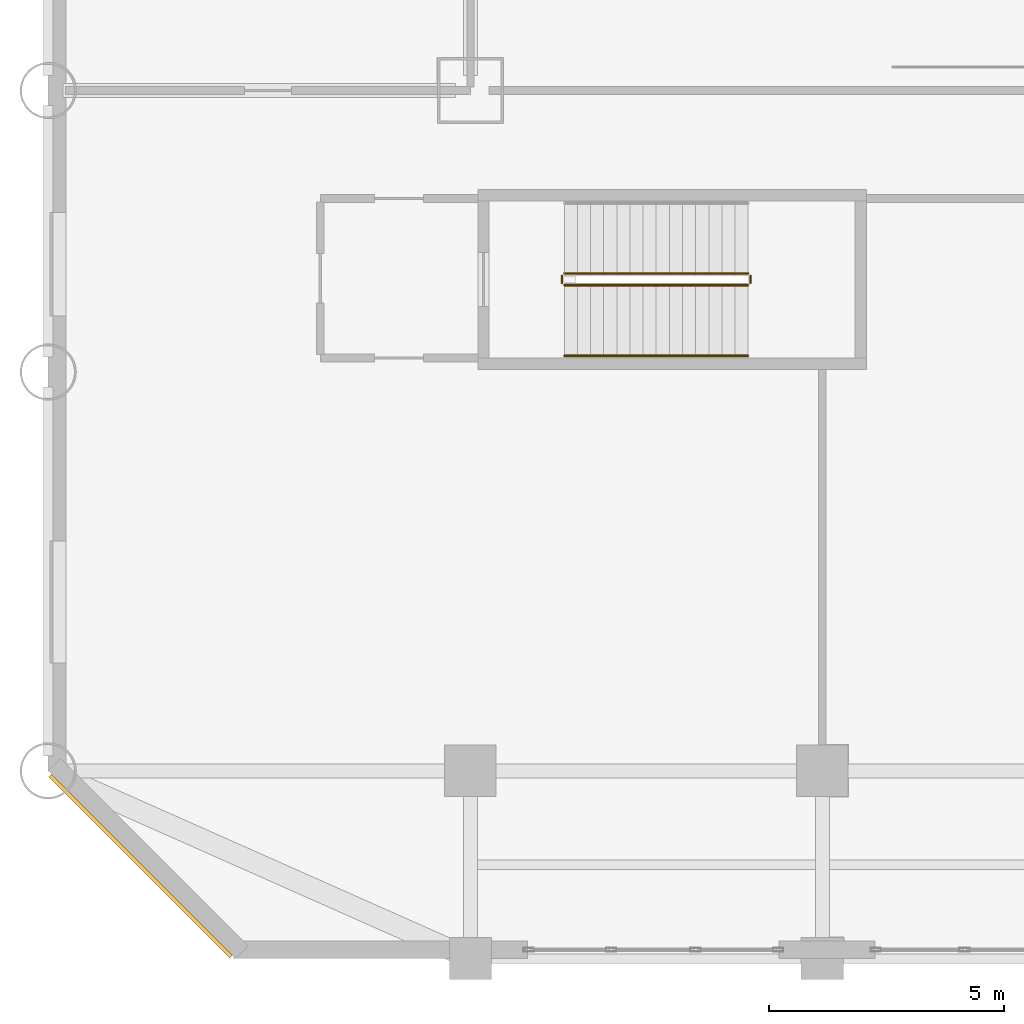
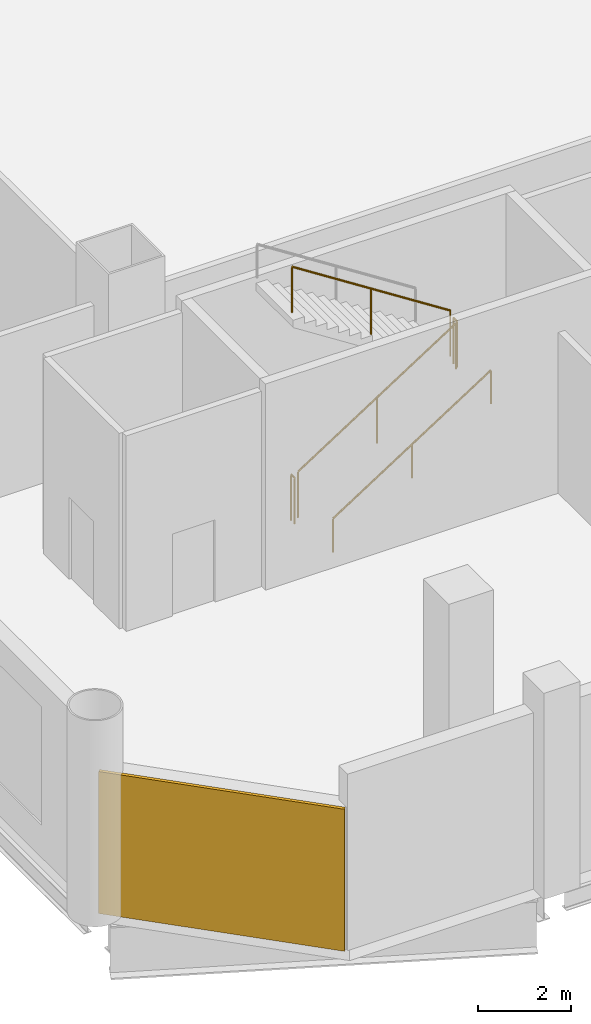
# One storey, part 15 of 18: 5 railings, 1 covering.
"""IFC4 building model written with IfcOpenShell, lengths in metres."""

from ifc_helpers import new_model, si_unit, direction, frame, origin, origin_2d, place, context, subcontext, project, spatial, rectangle, circle, extrude, material, layer, layer_set, type_object, element, save


model = new_model("IFC4")

# Units and contexts
model_context = context("Model", 3, precision=1e-05, world=origin(), true_north=direction((0.0, 1.0)))
body_context = subcontext(model_context, "Body", "Model", "MODEL_VIEW")
ifc_project = project(units=[si_unit("LENGTHUNIT", "METRE"), si_unit("AREAUNIT", "SQUARE_METRE"), si_unit("VOLUMEUNIT", "CUBIC_METRE"), si_unit("PLANEANGLEUNIT", "RADIAN"), si_unit("MASSUNIT", "GRAM", prefix="KILO")], contexts=[model_context])

# Site, building, storey
site_placement = place(None, origin())
site = spatial("IfcSite", under=ifc_project, at=site_placement, CompositionType="ELEMENT")
building_placement = place(site_placement, origin())
building = spatial("IfcBuilding", under=site, at=building_placement, Name="Qianrong Seaharbour Tower", CompositionType="ELEMENT")
storey_placement = place(building_placement, frame((0.0, 0.0, 6.0)))
storey = spatial("IfcBuildingStorey", under=building, at=storey_placement, Name="L02", CompositionType="ELEMENT", Elevation=6.0)

# Covering
ifc_material_1 = material(Name="Unitised red brick cladding on Precast concrete C45/55", Category="masonry")
ifc_layer = layer(ifc_material_1, 0.080078125)
ifc_layer_set = layer_set([ifc_layer], Name="Unitised red brick cladding on Precast concrete C45/55")
covering_type = type_object("IfcCoveringType", Name="COV-CLAD-RED-BRICK-80", PredefinedType="CLADDING", material=ifc_layer_set)
covering_placement = place(storey_placement, frame((1.9716796875, 1.9716796875, 0.0), z_axis=(0.0, 0.0, 1.0), x_axis=(-0.707106781187, 0.707106781187, 0.0)))
element("IfcCovering", 1, at=covering_placement, inside=storey, type_object=covering_type, Name="L02 Chamfer Corner Brick Cladding 07", PredefinedType="CLADDING", context=body_context, shape_type="SweptSolid", body=[
    extrude(rectangle(XDim=5.456787109375, YDim=0.080078125, at=origin_2d()), origin(), (0.0, 0.0, 1.0), 3.719970703125),
])

# Railings
ifc_material_2 = material(Name="Galvanized painted steel SN400B stair guard", Category="steel")
railing_type_1 = type_object("IfcRailingType", Name="RAIL-STAIR-GUARD-1220", PredefinedType="GUARDRAIL", material=ifc_material_2)
railing_1_placement = place(storey_placement, frame((11.0, 14.35009765625, 0.179931640625)))
element("IfcRailing", 2, at=railing_1_placement, inside=storey, type_object=railing_type_1, Name="L02 PST-3 stair guard 1", PredefinedType="GUARDRAIL", context=body_context, shape_type="SweptSolid", body=[
    extrude(circle(Radius=0.02392578125, at=origin_2d()), frame((0.0, 0.0, 1.19580078125), z_axis=(0.841171666519, 0.0, 0.540768182723), x_axis=(0.0, 1.0, 0.0)), (0.0, 0.0, 1.0), 4.66015625),
    extrude(circle(Radius=0.02099609375, at=origin_2d()), origin(), (0.0, 0.0, 1.0), 1.171875),
    extrude(circle(Radius=0.02099609375, at=origin_2d()), frame((1.9599609375, 0.0, 1.260009765625)), (0.0, 0.0, 1.0), 1.171875),
    extrude(circle(Radius=0.02099609375, at=origin_2d()), frame((3.919921875, 0.0, 2.52001953125)), (0.0, 0.0, 1.0), 1.171875),
])
railing_2_placement = place(storey_placement, frame((14.969970703125, 14.39990234375, 2.699951171875)))
element("IfcRailing", 3, at=railing_2_placement, inside=storey, type_object=railing_type_1, Name="L02 PST-3 stair guard 2", PredefinedType="GUARDRAIL", context=body_context, shape_type="SweptSolid", body=[
    extrude(circle(Radius=0.02392578125, at=origin_2d()), frame((0.0, 0.0, 1.19580078125), z_axis=(0.0, 1.0, 0.0), x_axis=(-1.0, 0.0, 0.0)), (0.0, 0.0, 1.0), 0.150146484375),
    extrude(circle(Radius=0.02099609375, at=origin_2d()), origin(), (0.0, 0.0, 1.0), 1.171875),
    extrude(circle(Radius=0.02099609375, at=origin_2d()), frame((0.0, 0.150146484375, 0.0)), (0.0, 0.0, 1.0), 1.171875),
])
railing_3_placement = place(storey_placement, frame((14.919921875, 14.60009765625, 2.8798828125)))
element("IfcRailing", 4, at=railing_3_placement, inside=storey, type_object=railing_type_1, Name="L02 PST-3 stair guard 3", PredefinedType="GUARDRAIL", context=body_context, shape_type="SweptSolid", body=[
    extrude(circle(Radius=0.02392578125, at=origin_2d()), frame((0.0, 0.0, 1.19580078125), z_axis=(-0.841171666519, 0.0, 0.540768182723), x_axis=(0.0, -1.0, 0.0)), (0.0, 0.0, 1.0), 4.66015625),
    extrude(circle(Radius=0.02099609375, at=origin_2d()), origin(), (0.0, 0.0, 1.0), 1.171875),
    extrude(circle(Radius=0.02099609375, at=origin_2d()), frame((-1.9599609375, 0.0, 1.260009765625)), (0.0, 0.0, 1.0), 1.171875),
    extrude(circle(Radius=0.02099609375, at=origin_2d()), frame((-3.919921875, 0.0, 2.52001953125)), (0.0, 0.0, 1.0), 1.171875),
])
railing_4_placement = place(storey_placement, frame((10.949951171875, 14.39990234375, 0.0)))
element("IfcRailing", 5, at=railing_4_placement, inside=storey, type_object=railing_type_1, Name="L02 PST-3 stair guard 4", PredefinedType="GUARDRAIL", context=body_context, shape_type="SweptSolid", body=[
    extrude(circle(Radius=0.02392578125, at=origin_2d()), frame((0.0, 0.0, 1.19580078125), z_axis=(0.0, 1.0, 0.0), x_axis=(-1.0, 0.0, 0.0)), (0.0, 0.0, 1.0), 0.150146484375),
    extrude(circle(Radius=0.02099609375, at=origin_2d()), origin(), (0.0, 0.0, 1.0), 1.171875),
    extrude(circle(Radius=0.02099609375, at=origin_2d()), frame((0.0, 0.150146484375, 0.0)), (0.0, 0.0, 1.0), 1.171875),
])
ifc_material_3 = material(Name="Stainless steel SUS316L continuous handrail", Category="steel")
railing_type_2 = type_object("IfcRailingType", Name="RAIL-STAIR-HANDRAIL-900", PredefinedType="HANDRAIL", material=ifc_material_3)
railing_5_placement = place(storey_placement, frame((11.0, 12.85009765625, 0.179931640625)))
element("IfcRailing", 6, at=railing_5_placement, inside=storey, type_object=railing_type_2, Name="L02 PST-3 stair handrail 1", PredefinedType="HANDRAIL", context=body_context, shape_type="SweptSolid", body=[
    extrude(circle(Radius=0.02392578125, at=origin_2d()), frame((0.0, 0.0, 0.8759765625), z_axis=(0.841171666519, 0.0, 0.540768182723), x_axis=(0.0, 1.0, 0.0)), (0.0, 0.0, 1.0), 4.66015625),
    extrude(circle(Radius=0.02099609375, at=origin_2d()), origin(), (0.0, 0.0, 1.0), 0.851806640625),
    extrude(circle(Radius=0.02099609375, at=origin_2d()), frame((1.9599609375, 0.0, 1.260009765625)), (0.0, 0.0, 1.0), 0.851806640625),
    extrude(circle(Radius=0.02099609375, at=origin_2d()), frame((3.919921875, 0.0, 2.52001953125)), (0.0, 0.0, 1.0), 0.851806640625),
])

save(model, "model.ifc")
